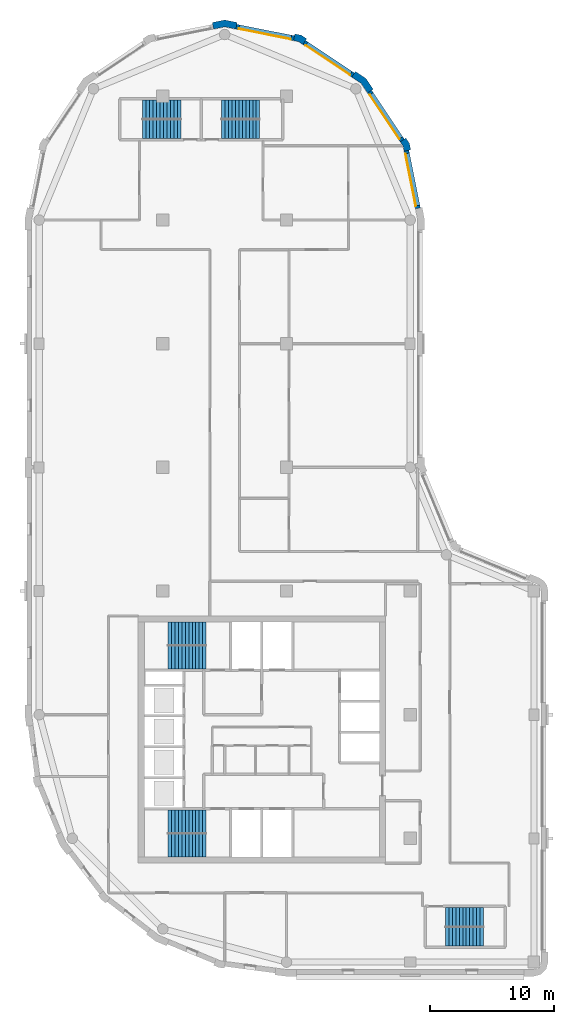
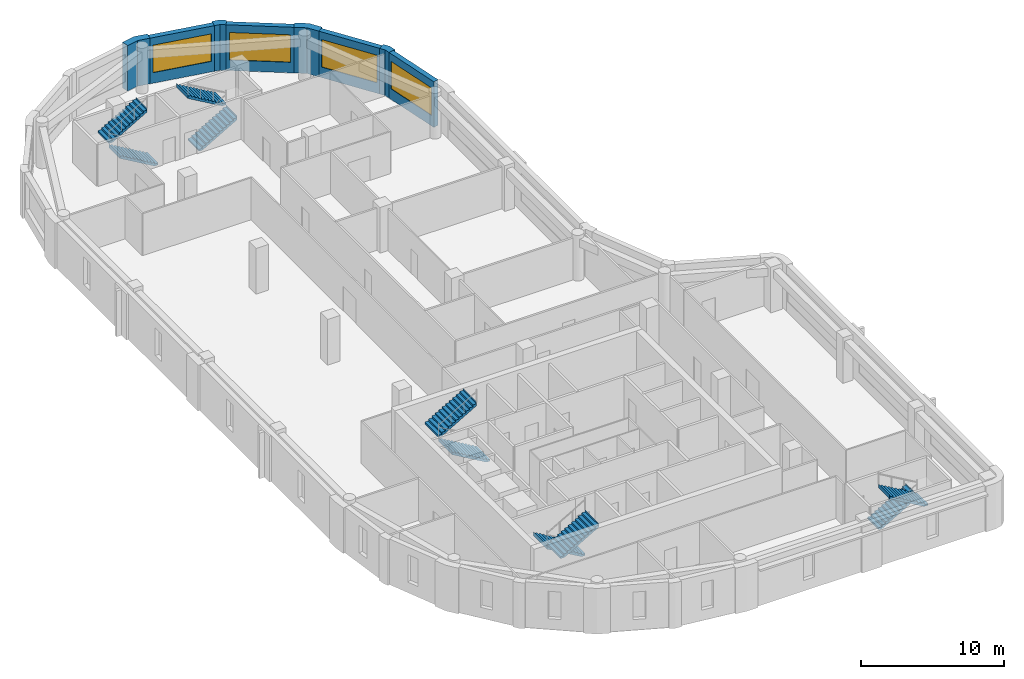
# One storey, part 6 of 8: 10 stair flights, 8 walls, 4 windows, 4 openings, 5 elements without a shape of their own.
"""IFC4 building model written with IfcOpenShell, lengths in metres."""

from ifc_helpers import new_model, si_unit, direction, frame, frame_2d, origin, place, context, subcontext, project, spatial, polyline, rectangle, outline, extrude, material, layer, layer_set, type_object, element, fill, aggregate, save


model = new_model("IFC4")

# Units and contexts
model_context = context("Model", 3, precision=1e-05, world=origin(), true_north=direction((0.0, 1.0)))
body_context = subcontext(model_context, "Body", "Model", "MODEL_VIEW")
ifc_project = project(units=[si_unit("LENGTHUNIT", "METRE"), si_unit("AREAUNIT", "SQUARE_METRE"), si_unit("VOLUMEUNIT", "CUBIC_METRE"), si_unit("PLANEANGLEUNIT", "RADIAN"), si_unit("MASSUNIT", "GRAM", prefix="KILO")], contexts=[model_context])

# Site, building, storey
site_placement = place(None, origin())
site = spatial("IfcSite", under=ifc_project, at=site_placement, CompositionType="ELEMENT")
building_placement = place(site_placement, origin())
building = spatial("IfcBuilding", under=site, at=building_placement, Name="Qaws Garden Tower", CompositionType="ELEMENT")
storey_placement = place(building_placement, frame((0.0, 0.0, 290.39990234375)))
storey = spatial("IfcBuildingStorey", under=building, at=storey_placement, Name="L70", CompositionType="ELEMENT", Elevation=290.39990234375)

# Wall, opening, window
ifc_material_1 = material(Name="Clay facing brick masonry", Category="masonry")
ifc_layer_1 = layer(ifc_material_1, 0.39990234375)
ifc_layer_set_1 = layer_set([ifc_layer_1], Name="Clay facing brick masonry")
wall_type_1 = type_object("IfcWallType", Name="Brick infill wall 400", PredefinedType="SOLIDWALL", material=ifc_layer_set_1)
wall_1_placement = place(storey_placement, frame((30.628662109375, 60.940673828125, 0.0), z_axis=(0.0, 0.0, 1.0), x_axis=(-0.195098533057, 0.98078364709, 0.0)))
wall_1 = element("IfcWall", 1, at=wall_1_placement, inside=storey, type_object=wall_type_1, Name="E-L70-infill-09", PredefinedType="SOLIDWALL", context=body_context, shape_type="SweptSolid", body=[
    extrude(rectangle(XDim=4.752685546875, YDim=0.39990234375, at=frame_2d((2.37646484375, 0.0))), origin(), (0.0, 0.0, 1.0), 3.900146484375),
])
opening_1_placement = place(wall_1_placement, frame((0.226318359375, 0.0, 0.89990234375)))
opening_1 = element("IfcOpeningElement", 2, at=opening_1_placement, cuts=wall_1, Name="Opening W06", PredefinedType="OPENING", context=body_context, shape_type="SweptSolid", body=[
    extrude(rectangle(XDim=4.300048828125, YDim=2.35009765625, at=frame_2d((2.14990234375, 1.175048828125))), frame((0.0, 0.2099609375, 0.0), z_axis=(0.0, -1.0, 0.0), x_axis=(1.0, 0.0, 0.0)), (0.0, 0.0, 1.0), 0.419921875),
])
ifc_material_2 = material(Name="Aluminium framed window, clear glazing", Category="aluminium")
window_type = type_object("IfcWindowType", Name="Ribbon window 4300 x 2350", PartitioningType="DOUBLE_PANEL_VERTICAL", PredefinedType="WINDOW", material=ifc_material_2)
window_1_placement = place(opening_1_placement, origin())
window_1 = element("IfcWindow", 3, at=window_1_placement, inside=storey, type_object=window_type, Name="E-L70-window-09-0", OverallHeight=2.35009765625, OverallWidth=4.300048828125, PartitioningType="SINGLE_PANEL", PredefinedType="WINDOW", context=body_context, shape_type="SweptSolid", body=[
    extrude(rectangle(XDim=4.300048828125, YDim=2.35009765625, at=frame_2d((2.14990234375, 1.175048828125))), frame((0.0, 0.159912109375, 0.0), z_axis=(0.0, -1.0, 0.0), x_axis=(1.0, 0.0, 0.0)), (0.0, 0.0, 1.0), 0.06005859375),
])
fill(opening_1, window_1)

wall_2_placement = place(storey_placement, frame((29.356689453125, 66.43408203125, 0.0), z_axis=(0.0, 0.0, 1.0), x_axis=(-0.555541552266, 0.831488775454, 0.0)))
wall_2 = element("IfcWall", 4, at=wall_2_placement, inside=storey, type_object=wall_type_1, Name="E-L70-infill-10", PredefinedType="SOLIDWALL", context=body_context, shape_type="SweptSolid", body=[
    extrude(rectangle(XDim=4.752685546875, YDim=0.39990234375, at=frame_2d((2.37646484375, 0.0))), origin(), (0.0, 0.0, 1.0), 3.900146484375),
])
opening_2_placement = place(wall_2_placement, frame((0.226318359375, 0.0, 0.89990234375)))
opening_2 = element("IfcOpeningElement", 5, at=opening_2_placement, cuts=wall_2, Name="Opening W06", PredefinedType="OPENING", context=body_context, shape_type="SweptSolid", body=[
    extrude(rectangle(XDim=4.300048828125, YDim=2.35009765625, at=frame_2d((2.14990234375, 1.175048828125))), frame((0.0, 0.2099609375, 0.0), z_axis=(0.0, -1.0, 0.0), x_axis=(1.0, 0.0, 0.0)), (0.0, 0.0, 1.0), 0.419921875),
])
window_2_placement = place(opening_2_placement, origin())
window_2 = element("IfcWindow", 6, at=window_2_placement, inside=storey, type_object=window_type, Name="E-L70-window-10-0", OverallHeight=2.35009765625, OverallWidth=4.300048828125, PartitioningType="SINGLE_PANEL", PredefinedType="WINDOW", context=body_context, shape_type="SweptSolid", body=[
    extrude(rectangle(XDim=4.300048828125, YDim=2.35009765625, at=frame_2d((2.14990234375, 1.175048828125))), frame((0.0, 0.159912109375, 0.0), z_axis=(0.0, -1.0, 0.0), x_axis=(1.0, 0.0, 0.0)), (0.0, 0.0, 1.0), 0.06005859375),
])
fill(opening_2, window_2)

wall_3_placement = place(storey_placement, frame((25.385986328125, 71.71630859375, 0.0), z_axis=(0.0, 0.0, 1.0), x_axis=(-0.831488775454, 0.555541552266, 0.0)))
wall_3 = element("IfcWall", 7, at=wall_3_placement, inside=storey, type_object=wall_type_1, Name="E-L70-infill-11", PredefinedType="SOLIDWALL", context=body_context, shape_type="SweptSolid", body=[
    extrude(rectangle(XDim=4.752685546875, YDim=0.39990234375, at=frame_2d((2.37646484375, 0.0))), origin(), (0.0, 0.0, 1.0), 3.900146484375),
])
opening_3_placement = place(wall_3_placement, frame((0.226318359375, 0.0, 0.89990234375)))
opening_3 = element("IfcOpeningElement", 8, at=opening_3_placement, cuts=wall_3, Name="Opening W06", PredefinedType="OPENING", context=body_context, shape_type="SweptSolid", body=[
    extrude(rectangle(XDim=4.300048828125, YDim=2.35009765625, at=frame_2d((2.14990234375, 1.175048828125))), frame((0.0, 0.2099609375, 0.0), z_axis=(0.0, -1.0, 0.0), x_axis=(1.0, 0.0, 0.0)), (0.0, 0.0, 1.0), 0.419921875),
])
window_3_placement = place(opening_3_placement, origin())
window_3 = element("IfcWindow", 9, at=window_3_placement, inside=storey, type_object=window_type, Name="E-L70-window-11-0", OverallHeight=2.35009765625, OverallWidth=4.300048828125, PartitioningType="SINGLE_PANEL", PredefinedType="WINDOW", context=body_context, shape_type="SweptSolid", body=[
    extrude(rectangle(XDim=4.300048828125, YDim=2.35009765625, at=frame_2d((2.14990234375, 1.175048828125))), frame((0.0, 0.159912109375, 0.0), z_axis=(0.0, -1.0, 0.0), x_axis=(1.0, 0.0, 0.0)), (0.0, 0.0, 1.0), 0.06005859375),
])
fill(opening_3, window_3)

wall_4_placement = place(storey_placement, frame((20.60205078125, 74.701416015625, 0.0), z_axis=(0.0, 0.0, 1.0), x_axis=(-0.98078364709, 0.195098533057, 0.0)))
wall_4 = element("IfcWall", 10, at=wall_4_placement, inside=storey, type_object=wall_type_1, Name="E-L70-infill-12", PredefinedType="SOLIDWALL", context=body_context, shape_type="SweptSolid", body=[
    extrude(rectangle(XDim=4.752685546875, YDim=0.39990234375, at=frame_2d((2.37646484375, 0.0))), origin(), (0.0, 0.0, 1.0), 3.900146484375),
])
opening_4_placement = place(wall_4_placement, frame((0.226318359375, 0.0, 0.89990234375)))
opening_4 = element("IfcOpeningElement", 11, at=opening_4_placement, cuts=wall_4, Name="Opening W06", PredefinedType="OPENING", context=body_context, shape_type="SweptSolid", body=[
    extrude(rectangle(XDim=4.300048828125, YDim=2.35009765625, at=frame_2d((2.14990234375, 1.175048828125))), frame((0.0, 0.2099609375, 0.0), z_axis=(0.0, -1.0, 0.0), x_axis=(1.0, 0.0, 0.0)), (0.0, 0.0, 1.0), 0.419921875),
])
window_4_placement = place(opening_4_placement, origin())
window_4 = element("IfcWindow", 12, at=window_4_placement, inside=storey, type_object=window_type, Name="E-L70-window-12-0", OverallHeight=2.35009765625, OverallWidth=4.300048828125, PartitioningType="SINGLE_PANEL", PredefinedType="WINDOW", context=body_context, shape_type="SweptSolid", body=[
    extrude(rectangle(XDim=4.300048828125, YDim=2.35009765625, at=frame_2d((2.14990234375, 1.175048828125))), frame((0.0, 0.159912109375, 0.0), z_axis=(0.0, -1.0, 0.0), x_axis=(1.0, 0.0, 0.0)), (0.0, 0.0, 1.0), 0.06005859375),
])
fill(opening_4, window_4)

# Walls
ifc_material_3 = material(Name="Clay facing brick masonry", Category="masonry")
ifc_layer_2 = layer(ifc_material_3, 0.550048828125)
ifc_layer_set_2 = layer_set([ifc_layer_2], Name="Clay facing brick masonry")
wall_type_2 = type_object("IfcWallType", Name="Brick kink pier 550 x 600", PredefinedType="SOLIDWALL", material=ifc_layer_set_2)
placement = place(storey_placement, origin())
element("IfcWall", 13, at=placement, inside=storey, type_object=wall_type_2, Name="E-L70-pier-10", PredefinedType="SOLIDWALL", context=body_context, shape_type="SweptSolid", body=[
    extrude(outline(polyline([(29.8974609375, 65.64111328125), (30.044677734375, 65.67041015625), (29.94140625, 66.18896484375), (29.647705078125, 66.628662109375), (29.52294921875, 66.545166015625), (29.1904296875, 66.322998046875), (29.42333984375, 65.974365234375), (29.505126953125, 65.56298828125), (29.8974609375, 65.64111328125)])), origin(), (0.0, 0.0, 1.0), 3.900146484375),
])
element("IfcWall", 14, at=placement, inside=storey, type_object=wall_type_2, Name="E-L70-pier-12", PredefinedType="SOLIDWALL", context=body_context, shape_type="SweptSolid", body=[
    extrude(outline(polyline([(21.545166015625, 74.52294921875), (21.628662109375, 74.647705078125), (21.18896484375, 74.94140625), (20.67041015625, 75.044677734375), (20.64111328125, 74.8974609375), (20.56298828125, 74.505126953125), (20.974365234375, 74.42333984375), (21.322998046875, 74.1904296875), (21.545166015625, 74.52294921875)])), origin(), (0.0, 0.0, 1.0), 3.900146484375),
])
ifc_material_4 = material(Name="Clay facing brick masonry", Category="masonry")
ifc_layer_3 = layer(ifc_material_4, 0.550048828125)
ifc_layer_set_3 = layer_set([ifc_layer_3], Name="Clay facing brick masonry")
wall_type_3 = type_object("IfcWallType", Name="Brick pier 550 x 1600", PredefinedType="SOLIDWALL", material=ifc_layer_set_3)
element("IfcWall", 15, at=placement, inside=storey, type_object=wall_type_3, Name="E-L70-pier-11", PredefinedType="SOLIDWALL", context=body_context, shape_type="SweptSolid", body=[
    extrude(outline(polyline([(26.882568359375, 70.4970703125), (27.00732421875, 70.580322265625), (26.435791015625, 71.435791015625), (25.580322265625, 72.00732421875), (25.4970703125, 71.882568359375), (25.274658203125, 71.550048828125), (26.0390625, 71.0390625), (26.550048828125, 70.274658203125), (26.882568359375, 70.4970703125)])), origin(), (0.0, 0.0, 1.0), 3.900146484375),
])
element("IfcWall", 16, at=placement, inside=storey, type_object=wall_type_3, Name="E-L70-pier-13", PredefinedType="SOLIDWALL", context=body_context, shape_type="SweptSolid", body=[
    extrude(outline(polyline([(15.979736328125, 75.82470703125), (16.009033203125, 75.971923828125), (15.0, 76.172607421875), (13.990966796875, 75.971923828125), (14.020263671875, 75.82470703125), (14.098388671875, 75.432373046875), (15.0, 75.61181640625), (15.901611328125, 75.432373046875), (15.979736328125, 75.82470703125)])), origin(), (0.0, 0.0, 1.0), 3.900146484375),
])

# Stair, stair flights
ifc_material_5 = material(Name="Concrete C40", Category="concrete")
stair_type_1 = type_object("IfcStairType", Name="Exit stair 1350", PredefinedType="HALF_TURN_STAIR", material=ifc_material_5)
stair_1 = element("IfcStair", 17, at=placement, inside=storey, type_object=stair_type_1, Name="Stair 5", PredefinedType="HALF_TURN_STAIR")
ifc_material_6 = material(Name="Concrete C40", Category="concrete")
stair_flight_type_1 = type_object("IfcStairFlightType", Name="Stair flight 1350", PredefinedType="STRAIGHT", material=ifc_material_6)
stair_flight_1_placement = place(storey_placement, frame((32.85009765625, 3.625, 0.0), z_axis=(0.0, 0.0, 1.0), x_axis=(1.0, 0.0, 0.0)))
stair_flight_1 = element("IfcStairFlight", 18, at=stair_flight_1_placement, type_object=stair_flight_type_1, Name="ST5 flight 1", NumberOfRisers=12, NumberOfTreads=11, PredefinedType="STRAIGHT", RiserHeight=0.1625, TreadLength=0.28, context=body_context, shape_type="SweptSolid", body=[
    extrude(outline(polyline([(-0.0029296875, 0.0), (-0.0029296875, 0.16259765625), (0.0, 0.16259765625), (0.280029296875, 0.16259765625), (0.280029296875, 0.324951171875), (0.56005859375, 0.324951171875), (0.56005859375, 0.487548828125), (0.840087890625, 0.487548828125), (0.840087890625, 0.64990234375), (1.1201171875, 0.64990234375), (1.1201171875, 0.8125), (1.39990234375, 0.8125), (1.39990234375, 0.97509765625), (1.679931640625, 0.97509765625), (1.679931640625, 1.137451171875), (1.9599609375, 1.137451171875), (1.9599609375, 1.300048828125), (2.239990234375, 1.300048828125), (2.239990234375, 1.46240234375), (2.52001953125, 1.46240234375), (2.52001953125, 1.625), (2.800048828125, 1.625), (2.800048828125, 1.78759765625), (3.080078125, 1.78759765625), (3.080078125, 1.949951171875), (3.0830078125, 1.949951171875), (3.0830078125, 1.6142578125), (3.080078125, 1.6142578125), (0.298583984375, 0.0), (-0.0029296875, 0.0)])), frame((0.0, 0.77490234375, 0.0), z_axis=(0.0, -1.0, 0.0), x_axis=(1.0, 0.0, 0.0)), (0.0, 0.0, 1.0), 1.550048828125),
])
stair_flight_2_placement = place(storey_placement, frame((35.929931640625, 2.074951171875, 1.9501953125), z_axis=(0.0, 0.0, 1.0), x_axis=(-1.0, 0.0, 0.0)))
stair_flight_2 = element("IfcStairFlight", 19, at=stair_flight_2_placement, type_object=stair_flight_type_1, Name="ST5 flight 2", NumberOfRisers=12, NumberOfTreads=11, PredefinedType="STRAIGHT", RiserHeight=0.1625, TreadLength=0.28, context=body_context, shape_type="SweptSolid", body=[
    extrude(outline(polyline([(-0.0029296875, 0.0), (-0.0029296875, 0.16259765625), (0.0, 0.16259765625), (0.280029296875, 0.16259765625), (0.280029296875, 0.324951171875), (0.56005859375, 0.324951171875), (0.56005859375, 0.487548828125), (0.840087890625, 0.487548828125), (0.840087890625, 0.64990234375), (1.1201171875, 0.64990234375), (1.1201171875, 0.8125), (1.39990234375, 0.8125), (1.39990234375, 0.97509765625), (1.679931640625, 0.97509765625), (1.679931640625, 1.137451171875), (1.9599609375, 1.137451171875), (1.9599609375, 1.300048828125), (2.239990234375, 1.300048828125), (2.239990234375, 1.46240234375), (2.52001953125, 1.46240234375), (2.52001953125, 1.625), (2.800048828125, 1.625), (2.800048828125, 1.78759765625), (3.080078125, 1.78759765625), (3.080078125, 1.949951171875), (3.0830078125, 1.949951171875), (3.0830078125, 1.6142578125), (3.080078125, 1.6142578125), (0.298583984375, 0.0), (-0.0029296875, 0.0)])), frame((0.0, 0.77490234375, 0.0), z_axis=(0.0, -1.0, 0.0), x_axis=(1.0, 0.0, 0.0)), (0.0, 0.0, 1.0), 1.550048828125),
])
aggregate(stair_1, [stair_flight_1, stair_flight_2])

stair_2 = element("IfcStair", 20, at=placement, inside=storey, type_object=stair_type_1, Name="Stair 6", PredefinedType="HALF_TURN_STAIR")
stair_flight_3_placement = place(storey_placement, frame((11.449951171875, 67.375, 0.0), z_axis=(0.0, 0.0, 1.0), x_axis=(-1.0, 0.0, 0.0)))
stair_flight_3 = element("IfcStairFlight", 21, at=stair_flight_3_placement, type_object=stair_flight_type_1, Name="ST6 flight 1", NumberOfRisers=12, NumberOfTreads=11, PredefinedType="STRAIGHT", RiserHeight=0.1625, TreadLength=0.28, context=body_context, shape_type="SweptSolid", body=[
    extrude(outline(polyline([(-0.0029296875, 0.0), (-0.0029296875, 0.16259765625), (0.0, 0.16259765625), (0.280029296875, 0.16259765625), (0.280029296875, 0.324951171875), (0.56005859375, 0.324951171875), (0.56005859375, 0.487548828125), (0.840087890625, 0.487548828125), (0.840087890625, 0.64990234375), (1.1201171875, 0.64990234375), (1.1201171875, 0.8125), (1.39990234375, 0.8125), (1.39990234375, 0.97509765625), (1.679931640625, 0.97509765625), (1.679931640625, 1.137451171875), (1.9599609375, 1.137451171875), (1.9599609375, 1.300048828125), (2.239990234375, 1.300048828125), (2.239990234375, 1.46240234375), (2.52001953125, 1.46240234375), (2.52001953125, 1.625), (2.800048828125, 1.625), (2.800048828125, 1.78759765625), (3.080078125, 1.78759765625), (3.080078125, 1.949951171875), (3.0830078125, 1.949951171875), (3.0830078125, 1.6142578125), (3.080078125, 1.6142578125), (0.298583984375, 0.0), (-0.0029296875, 0.0)])), frame((0.0, 0.77490234375, 0.0), z_axis=(0.0, -1.0, 0.0), x_axis=(1.0, 0.0, 0.0)), (0.0, 0.0, 1.0), 1.550048828125),
])
stair_flight_4_placement = place(storey_placement, frame((8.3701171875, 68.925048828125, 1.9501953125), z_axis=(0.0, 0.0, 1.0), x_axis=(1.0, 0.0, 0.0)))
stair_flight_4 = element("IfcStairFlight", 22, at=stair_flight_4_placement, type_object=stair_flight_type_1, Name="ST6 flight 2", NumberOfRisers=12, NumberOfTreads=11, PredefinedType="STRAIGHT", RiserHeight=0.1625, TreadLength=0.28, context=body_context, shape_type="SweptSolid", body=[
    extrude(outline(polyline([(-0.0029296875, 0.0), (-0.0029296875, 0.16259765625), (0.0, 0.16259765625), (0.280029296875, 0.16259765625), (0.280029296875, 0.324951171875), (0.56005859375, 0.324951171875), (0.56005859375, 0.487548828125), (0.840087890625, 0.487548828125), (0.840087890625, 0.64990234375), (1.1201171875, 0.64990234375), (1.1201171875, 0.8125), (1.39990234375, 0.8125), (1.39990234375, 0.97509765625), (1.679931640625, 0.97509765625), (1.679931640625, 1.137451171875), (1.9599609375, 1.137451171875), (1.9599609375, 1.300048828125), (2.239990234375, 1.300048828125), (2.239990234375, 1.46240234375), (2.52001953125, 1.46240234375), (2.52001953125, 1.625), (2.800048828125, 1.625), (2.800048828125, 1.78759765625), (3.080078125, 1.78759765625), (3.080078125, 1.949951171875), (3.0830078125, 1.949951171875), (3.0830078125, 1.6142578125), (3.080078125, 1.6142578125), (0.298583984375, 0.0), (-0.0029296875, 0.0)])), frame((0.0, 0.77490234375, 0.0), z_axis=(0.0, -1.0, 0.0), x_axis=(1.0, 0.0, 0.0)), (0.0, 0.0, 1.0), 1.550048828125),
])
aggregate(stair_2, [stair_flight_3, stair_flight_4])

stair_3 = element("IfcStair", 23, at=placement, inside=storey, type_object=stair_type_1, Name="Stair 7", PredefinedType="HALF_TURN_STAIR")
stair_flight_5_placement = place(storey_placement, frame((14.75, 67.375, 0.0), z_axis=(0.0, 0.0, 1.0), x_axis=(1.0, 0.0, 0.0)))
stair_flight_5 = element("IfcStairFlight", 24, at=stair_flight_5_placement, type_object=stair_flight_type_1, Name="ST7 flight 1", NumberOfRisers=12, NumberOfTreads=11, PredefinedType="STRAIGHT", RiserHeight=0.1625, TreadLength=0.28, context=body_context, shape_type="SweptSolid", body=[
    extrude(outline(polyline([(-0.0029296875, 0.0), (-0.0029296875, 0.16259765625), (0.0, 0.16259765625), (0.280029296875, 0.16259765625), (0.280029296875, 0.324951171875), (0.56005859375, 0.324951171875), (0.56005859375, 0.487548828125), (0.840087890625, 0.487548828125), (0.840087890625, 0.64990234375), (1.1201171875, 0.64990234375), (1.1201171875, 0.8125), (1.39990234375, 0.8125), (1.39990234375, 0.97509765625), (1.679931640625, 0.97509765625), (1.679931640625, 1.137451171875), (1.9599609375, 1.137451171875), (1.9599609375, 1.300048828125), (2.239990234375, 1.300048828125), (2.239990234375, 1.46240234375), (2.52001953125, 1.46240234375), (2.52001953125, 1.625), (2.800048828125, 1.625), (2.800048828125, 1.78759765625), (3.080078125, 1.78759765625), (3.080078125, 1.949951171875), (3.0830078125, 1.949951171875), (3.0830078125, 1.6142578125), (3.080078125, 1.6142578125), (0.298583984375, 0.0), (-0.0029296875, 0.0)])), frame((0.0, 0.77490234375, 0.0), z_axis=(0.0, -1.0, 0.0), x_axis=(1.0, 0.0, 0.0)), (0.0, 0.0, 1.0), 1.550048828125),
])
stair_flight_6_placement = place(storey_placement, frame((17.830078125, 68.925048828125, 1.9501953125), z_axis=(0.0, 0.0, 1.0), x_axis=(-1.0, 0.0, 0.0)))
stair_flight_6 = element("IfcStairFlight", 25, at=stair_flight_6_placement, type_object=stair_flight_type_1, Name="ST7 flight 2", NumberOfRisers=12, NumberOfTreads=11, PredefinedType="STRAIGHT", RiserHeight=0.1625, TreadLength=0.28, context=body_context, shape_type="SweptSolid", body=[
    extrude(outline(polyline([(-0.0029296875, 0.0), (-0.0029296875, 0.16259765625), (0.0, 0.16259765625), (0.280029296875, 0.16259765625), (0.280029296875, 0.324951171875), (0.56005859375, 0.324951171875), (0.56005859375, 0.487548828125), (0.840087890625, 0.487548828125), (0.840087890625, 0.64990234375), (1.1201171875, 0.64990234375), (1.1201171875, 0.8125), (1.39990234375, 0.8125), (1.39990234375, 0.97509765625), (1.679931640625, 0.97509765625), (1.679931640625, 1.137451171875), (1.9599609375, 1.137451171875), (1.9599609375, 1.300048828125), (2.239990234375, 1.300048828125), (2.239990234375, 1.46240234375), (2.52001953125, 1.46240234375), (2.52001953125, 1.625), (2.800048828125, 1.625), (2.800048828125, 1.78759765625), (3.080078125, 1.78759765625), (3.080078125, 1.949951171875), (3.0830078125, 1.949951171875), (3.0830078125, 1.6142578125), (3.080078125, 1.6142578125), (0.298583984375, 0.0), (-0.0029296875, 0.0)])), frame((0.0, 0.77490234375, 0.0), z_axis=(0.0, -1.0, 0.0), x_axis=(1.0, 0.0, 0.0)), (0.0, 0.0, 1.0), 1.550048828125),
])
aggregate(stair_3, [stair_flight_5, stair_flight_6])

ifc_material_7 = material(Name="Concrete C40", Category="concrete")
stair_type_2 = type_object("IfcStairType", Name="Exit stair 1500", PredefinedType="HALF_TURN_STAIR", material=ifc_material_7)
stair_4 = element("IfcStair", 26, at=placement, inside=storey, type_object=stair_type_2, Name="Stair 1", PredefinedType="HALF_TURN_STAIR")
ifc_material_8 = material(Name="Concrete C40", Category="concrete")
stair_flight_type_2 = type_object("IfcStairFlightType", Name="Stair flight 1500", PredefinedType="STRAIGHT", material=ifc_material_8)
stair_flight_7_placement = place(storey_placement, frame((13.5, 11.35009765625, 0.0), z_axis=(0.0, 0.0, 1.0), x_axis=(-1.0, 0.0, 0.0)))
stair_flight_7 = element("IfcStairFlight", 27, at=stair_flight_7_placement, type_object=stair_flight_type_2, Name="ST1 flight 1", NumberOfRisers=12, NumberOfTreads=11, PredefinedType="STRAIGHT", RiserHeight=0.1625, TreadLength=0.28, context=body_context, shape_type="SweptSolid", body=[
    extrude(outline(polyline([(-0.0029296875, 0.0), (-0.0029296875, 0.16259765625), (0.0, 0.16259765625), (0.280029296875, 0.16259765625), (0.280029296875, 0.324951171875), (0.56005859375, 0.324951171875), (0.56005859375, 0.487548828125), (0.840087890625, 0.487548828125), (0.840087890625, 0.64990234375), (1.1201171875, 0.64990234375), (1.1201171875, 0.8125), (1.39990234375, 0.8125), (1.39990234375, 0.97509765625), (1.679931640625, 0.97509765625), (1.679931640625, 1.137451171875), (1.9599609375, 1.137451171875), (1.9599609375, 1.300048828125), (2.239990234375, 1.300048828125), (2.239990234375, 1.46240234375), (2.52001953125, 1.46240234375), (2.52001953125, 1.625), (2.800048828125, 1.625), (2.800048828125, 1.78759765625), (3.080078125, 1.78759765625), (3.080078125, 1.949951171875), (3.0830078125, 1.949951171875), (3.0830078125, 1.6142578125), (3.080078125, 1.6142578125), (0.298583984375, 0.0), (-0.0029296875, 0.0)])), frame((0.0, 0.949951171875, 0.0), z_axis=(0.0, -1.0, 0.0), x_axis=(1.0, 0.0, 0.0)), (0.0, 0.0, 1.0), 1.89990234375),
])
stair_flight_8_placement = place(storey_placement, frame((10.419921875, 9.449951171875, 1.9501953125), z_axis=(0.0, 0.0, 1.0), x_axis=(1.0, 0.0, 0.0)))
stair_flight_8 = element("IfcStairFlight", 28, at=stair_flight_8_placement, type_object=stair_flight_type_2, Name="ST1 flight 2", NumberOfRisers=12, NumberOfTreads=11, PredefinedType="STRAIGHT", RiserHeight=0.1625, TreadLength=0.28, context=body_context, shape_type="SweptSolid", body=[
    extrude(outline(polyline([(-0.0029296875, 0.0), (-0.0029296875, 0.16259765625), (0.0, 0.16259765625), (0.280029296875, 0.16259765625), (0.280029296875, 0.324951171875), (0.56005859375, 0.324951171875), (0.56005859375, 0.487548828125), (0.840087890625, 0.487548828125), (0.840087890625, 0.64990234375), (1.1201171875, 0.64990234375), (1.1201171875, 0.8125), (1.39990234375, 0.8125), (1.39990234375, 0.97509765625), (1.679931640625, 0.97509765625), (1.679931640625, 1.137451171875), (1.9599609375, 1.137451171875), (1.9599609375, 1.300048828125), (2.239990234375, 1.300048828125), (2.239990234375, 1.46240234375), (2.52001953125, 1.46240234375), (2.52001953125, 1.625), (2.800048828125, 1.625), (2.800048828125, 1.78759765625), (3.080078125, 1.78759765625), (3.080078125, 1.949951171875), (3.0830078125, 1.949951171875), (3.0830078125, 1.6142578125), (3.080078125, 1.6142578125), (0.298583984375, 0.0), (-0.0029296875, 0.0)])), frame((0.0, 0.949951171875, 0.0), z_axis=(0.0, -1.0, 0.0), x_axis=(1.0, 0.0, 0.0)), (0.0, 0.0, 1.0), 1.89990234375),
])
aggregate(stair_4, [stair_flight_7, stair_flight_8])

stair_5 = element("IfcStair", 29, at=placement, inside=storey, type_object=stair_type_2, Name="Stair 4", PredefinedType="HALF_TURN_STAIR")
stair_flight_9_placement = place(storey_placement, frame((13.5, 24.64990234375, 0.0), z_axis=(0.0, 0.0, 1.0), x_axis=(-1.0, 0.0, 0.0)))
stair_flight_9 = element("IfcStairFlight", 30, at=stair_flight_9_placement, type_object=stair_flight_type_2, Name="ST4 flight 1", NumberOfRisers=12, NumberOfTreads=11, PredefinedType="STRAIGHT", RiserHeight=0.1625, TreadLength=0.28, context=body_context, shape_type="SweptSolid", body=[
    extrude(outline(polyline([(-0.0029296875, 0.0), (-0.0029296875, 0.16259765625), (0.0, 0.16259765625), (0.280029296875, 0.16259765625), (0.280029296875, 0.324951171875), (0.56005859375, 0.324951171875), (0.56005859375, 0.487548828125), (0.840087890625, 0.487548828125), (0.840087890625, 0.64990234375), (1.1201171875, 0.64990234375), (1.1201171875, 0.8125), (1.39990234375, 0.8125), (1.39990234375, 0.97509765625), (1.679931640625, 0.97509765625), (1.679931640625, 1.137451171875), (1.9599609375, 1.137451171875), (1.9599609375, 1.300048828125), (2.239990234375, 1.300048828125), (2.239990234375, 1.46240234375), (2.52001953125, 1.46240234375), (2.52001953125, 1.625), (2.800048828125, 1.625), (2.800048828125, 1.78759765625), (3.080078125, 1.78759765625), (3.080078125, 1.949951171875), (3.0830078125, 1.949951171875), (3.0830078125, 1.6142578125), (3.080078125, 1.6142578125), (0.298583984375, 0.0), (-0.0029296875, 0.0)])), frame((0.0, 0.94482421875, 0.0), z_axis=(0.0, -1.0, 0.0), x_axis=(1.0, 0.0, 0.0)), (0.0, 0.0, 1.0), 1.889892578125),
])
stair_flight_10_placement = place(storey_placement, frame((10.419921875, 26.550048828125, 1.9501953125), z_axis=(0.0, 0.0, 1.0), x_axis=(1.0, 0.0, 0.0)))
stair_flight_10 = element("IfcStairFlight", 31, at=stair_flight_10_placement, type_object=stair_flight_type_2, Name="ST4 flight 2", NumberOfRisers=12, NumberOfTreads=11, PredefinedType="STRAIGHT", RiserHeight=0.1625, TreadLength=0.28, context=body_context, shape_type="SweptSolid", body=[
    extrude(outline(polyline([(-0.0029296875, 0.0), (-0.0029296875, 0.16259765625), (0.0, 0.16259765625), (0.280029296875, 0.16259765625), (0.280029296875, 0.324951171875), (0.56005859375, 0.324951171875), (0.56005859375, 0.487548828125), (0.840087890625, 0.487548828125), (0.840087890625, 0.64990234375), (1.1201171875, 0.64990234375), (1.1201171875, 0.8125), (1.39990234375, 0.8125), (1.39990234375, 0.97509765625), (1.679931640625, 0.97509765625), (1.679931640625, 1.137451171875), (1.9599609375, 1.137451171875), (1.9599609375, 1.300048828125), (2.239990234375, 1.300048828125), (2.239990234375, 1.46240234375), (2.52001953125, 1.46240234375), (2.52001953125, 1.625), (2.800048828125, 1.625), (2.800048828125, 1.78759765625), (3.080078125, 1.78759765625), (3.080078125, 1.949951171875), (3.0830078125, 1.949951171875), (3.0830078125, 1.6142578125), (3.080078125, 1.6142578125), (0.298583984375, 0.0), (-0.0029296875, 0.0)])), frame((0.0, 0.94482421875, 0.0), z_axis=(0.0, -1.0, 0.0), x_axis=(1.0, 0.0, 0.0)), (0.0, 0.0, 1.0), 1.889892578125),
])
aggregate(stair_5, [stair_flight_9, stair_flight_10])

save(model, "model.ifc")
